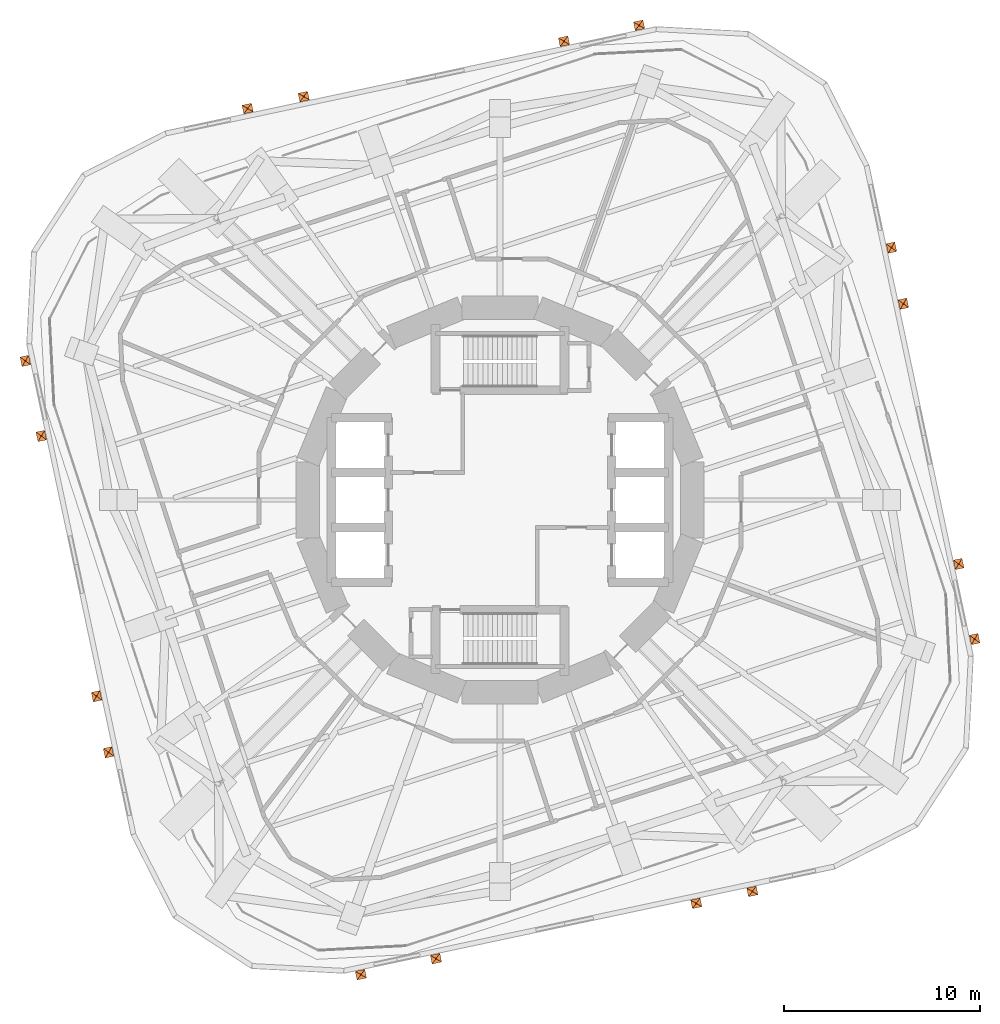
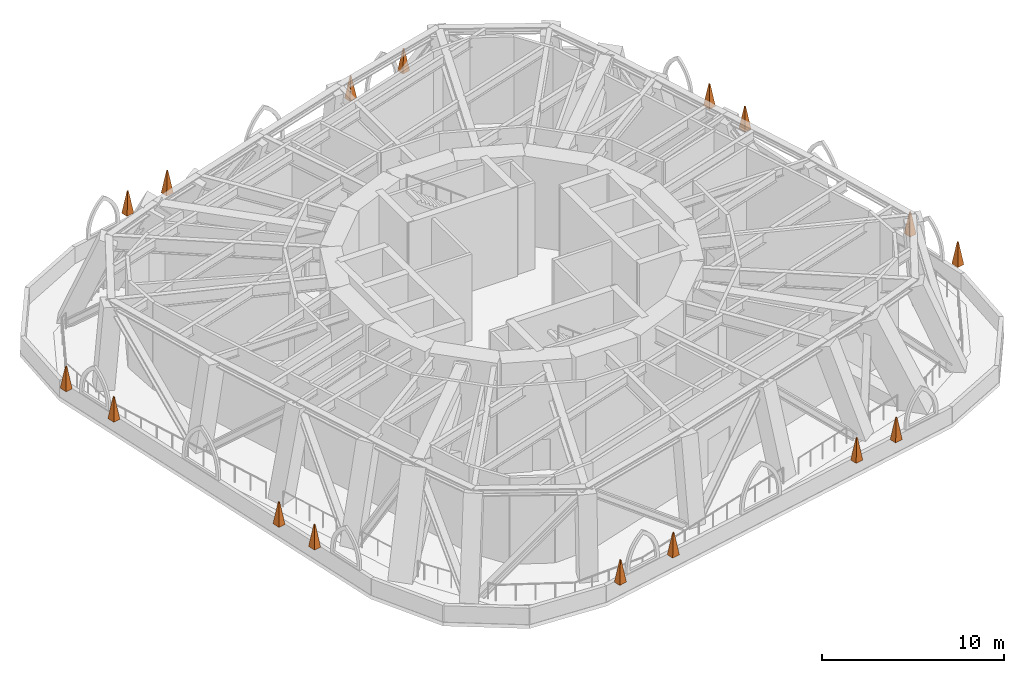
# One storey, part 11 of 11: 16 proxies.
"""IFC4 building model written with IfcOpenShell, lengths in metres."""

from ifc_helpers import new_model, entity, si_unit, direction, frame, origin, place, context, subcontext, project, spatial, material, type_object, element, save


model = new_model("IFC4")

# Units and contexts
model_context = context("Model", 3, precision=1e-05, world=origin(), true_north=direction((0.0, 1.0)))
body_context = subcontext(model_context, "Body", "Model", "MODEL_VIEW")
ifc_project = project(units=[si_unit("LENGTHUNIT", "METRE"), si_unit("AREAUNIT", "SQUARE_METRE"), si_unit("VOLUMEUNIT", "CUBIC_METRE"), si_unit("PLANEANGLEUNIT", "RADIAN"), si_unit("MASSUNIT", "GRAM", prefix="KILO")], contexts=[model_context])

# Site, building, storey
site_placement = place(None, origin())
site = spatial("IfcSite", under=ifc_project, at=site_placement, CompositionType="ELEMENT")
building_placement = place(site_placement, origin())
building = spatial("IfcBuilding", under=site, at=building_placement, Name="Nakasero Lantern House", CompositionType="ELEMENT")
storey_placement = place(building_placement, frame((0.0, 0.0, 135.800048828125)))
storey = spatial("IfcBuildingStorey", under=building, at=storey_placement, Name="L33", CompositionType="ELEMENT", Elevation=135.800048828125)

# Proxies
ifc_material = material(Name="Concrete C40/50 precast", Category="concrete")
building_element_proxy_type = type_object("IfcBuildingElementProxyType", Name="Pinnacle 500x450", PredefinedType="USERDEFINED", material=ifc_material)
for number, where, z_axis, x_axis, name in (
    (1, (24.23095703125, -7.10107421875, 1.099853515625), (0.0, 0.0, 1.0), (0.978147600734, 0.207911690818, 0.0), "Pinnacle B3 0-00"),
    (2, (23.416015625, -3.267333984375, 1.099853515625), (0.0, 0.0, 1.0), (0.978147600734, 0.207911690818, 0.0), "Pinnacle B3 0-01"),
    (3, (20.591796875, 10.01904296875, 1.099853515625), (0.0, 0.0, 1.0), (0.978147600734, 0.207911690818, 0.0), "Pinnacle B3 0-02"),
    (4, (19.9833984375, 12.881591796875, 1.099853515625), (0.0, 0.0, 1.0), (0.978147600734, 0.207911690818, 0.0), "Pinnacle B3 0-03"),
    (5, (7.10107421875, 24.23095703125, 1.099853515625), (0.0, 0.0, 1.0), (-0.207911690818, 0.978147600734, 0.0), "Pinnacle B3 1-00"),
    (6, (3.267333984375, 23.416015625, 1.099853515625), (0.0, 0.0, 1.0), (-0.207911690818, 0.978147600734, 0.0), "Pinnacle B3 1-01"),
    (7, (-10.01904296875, 20.591796875, 1.099853515625), (0.0, 0.0, 1.0), (-0.207911690818, 0.978147600734, 0.0), "Pinnacle B3 1-02"),
    (8, (-12.881591796875, 19.9833984375, 1.099853515625), (0.0, 0.0, 1.0), (-0.207911690818, 0.978147600734, 0.0), "Pinnacle B3 1-03"),
    (9, (-24.23095703125, 7.10107421875, 1.099853515625), (0.0, 0.0, 1.0), (-0.978147600734, -0.207911690818, 0.0), "Pinnacle B3 2-00"),
    (10, (-23.416015625, 3.267333984375, 1.099853515625), (0.0, 0.0, 1.0), (-0.978147600734, -0.207911690818, 0.0), "Pinnacle B3 2-01"),
    (11, (-20.591796875, -10.01904296875, 1.099853515625), (0.0, 0.0, 1.0), (-0.978147600734, -0.207911690818, 0.0), "Pinnacle B3 2-02"),
    (12, (-19.9833984375, -12.881591796875, 1.099853515625), (0.0, 0.0, 1.0), (-0.978147600734, -0.207911690818, 0.0), "Pinnacle B3 2-03"),
    (13, (-7.10107421875, -24.23095703125, 1.099853515625), (0.0, 0.0, 1.0), (0.207911690818, -0.978147600734, 0.0), "Pinnacle B3 3-00"),
    (14, (-3.267333984375, -23.416015625, 1.099853515625), (0.0, 0.0, 1.0), (0.207911690818, -0.978147600734, 0.0), "Pinnacle B3 3-01"),
    (15, (10.01904296875, -20.591796875, 1.099853515625), (0.0, 0.0, 1.0), (0.207911690818, -0.978147600734, 0.0), "Pinnacle B3 3-02"),
    (16, (12.881591796875, -19.9833984375, 1.099853515625), (0.0, 0.0, 1.0), (0.207911690818, -0.978147600734, 0.0), "Pinnacle B3 3-03"),
):
    element("IfcBuildingElementProxy", number, at=place(storey_placement, frame(where, z_axis=z_axis, x_axis=x_axis)), inside=storey, type_object=building_element_proxy_type, Name=name, ObjectType="PINNACLE", PredefinedType="USERDEFINED", context=body_context, shape_type="SweptSolid", body=[
        entity("IfcExtrudedAreaSolidTapered", entity("IfcRectangleProfileDef", "AREA", None, entity("IfcAxis2Placement2D", entity("IfcCartesianPoint", [0.0, 0.0])), 0.449951171875, 0.5), entity("IfcAxis2Placement3D", entity("IfcCartesianPoint", [0.0, 0.0, 0.0])), entity("IfcDirection", [0.0, 0.0, 1.0]), 1.5, entity("IfcRectangleProfileDef", "AREA", None, entity("IfcAxis2Placement2D", entity("IfcCartesianPoint", [0.0, 0.0])), 0.06005859375, 0.06005859375)),
    ])

save(model, "model.ifc")
